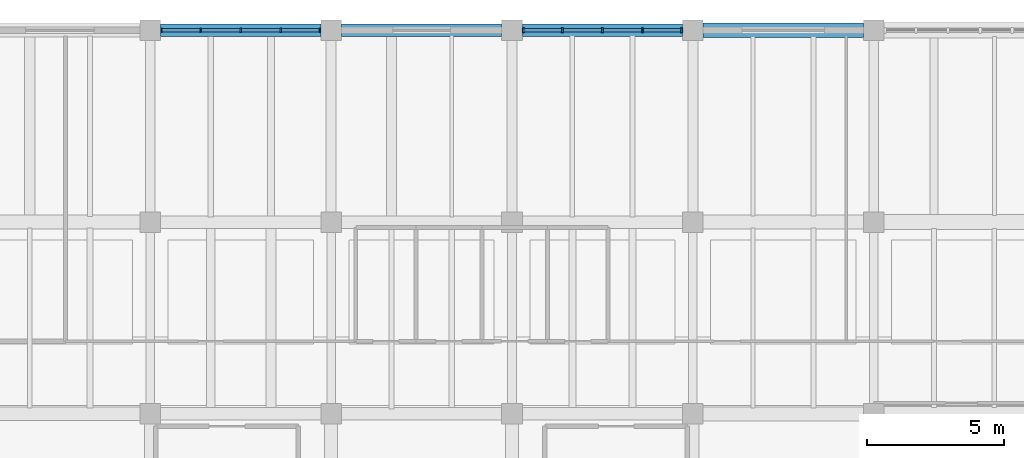
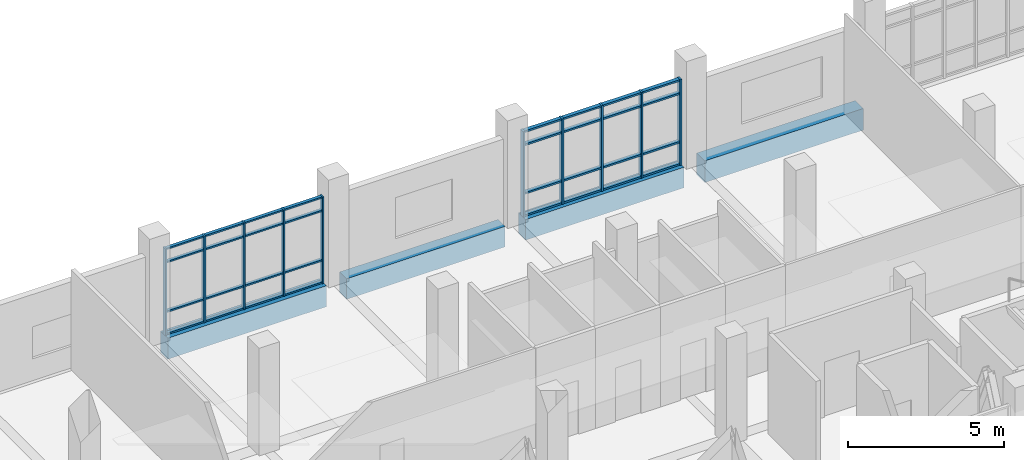
# One storey, part 60 of 92: 42 members, 4 beams, 2 elements without a shape of their own.
"""IFC4 building model written with IfcOpenShell, lengths in metres."""

from ifc_helpers import new_model, si_unit, direction, frame, origin, origin_2d, place, context, subcontext, project, spatial, rectangle, extrude, material, material_profile, profile_set, type_object, element, aggregate, save


model = new_model("IFC4")

# Units and contexts
model_context = context("Model", 3, precision=1e-05, world=origin(), true_north=direction((0.0, 1.0)))
body_context = subcontext(model_context, "Body", "Model", "MODEL_VIEW")
ifc_project = project(units=[si_unit("LENGTHUNIT", "METRE"), si_unit("AREAUNIT", "SQUARE_METRE"), si_unit("VOLUMEUNIT", "CUBIC_METRE"), si_unit("PLANEANGLEUNIT", "RADIAN"), si_unit("MASSUNIT", "GRAM", prefix="KILO")], contexts=[model_context])

# Site, building, storey
site_placement = place(None, origin())
site = spatial("IfcSite", under=ifc_project, at=site_placement, CompositionType="ELEMENT")
building_placement = place(site_placement, origin())
building = spatial("IfcBuilding", under=site, at=building_placement, Name="Ciguamira Faculty of Natural Sciences", CompositionType="ELEMENT")
storey_placement = place(building_placement, frame((0.0, 0.0, 16.800048828125)))
storey = spatial("IfcBuildingStorey", under=building, at=storey_placement, Name="L04", CompositionType="ELEMENT", Elevation=16.800048828125)

# Curtain wall, members
ifc_material_1 = material(Name="Anodized aluminium curtain wall", Category="aluminium")
curtain_wall_type_1 = type_object("IfcCurtainWallType", Name="CurtainWall_CW-07", PredefinedType="USERDEFINED", material=ifc_material_1)
curtain_wall_1_placement = place(storey_placement, origin())
curtain_wall_1 = element("IfcCurtainWall", 1, at=curtain_wall_1_placement, inside=storey, type_object=curtain_wall_type_1, Name="L04 unitised curtain wall 0127", ObjectType="UNITISED CURTAIN WALL", PredefinedType="USERDEFINED")
ifc_material_2 = material(Name="Anodized aluminium mullion", Category="aluminium")
ifc_material_profile_1 = material_profile(ifc_material_2, rectangle(XDim=0.06005859375, YDim=0.159912109375, at=origin_2d()), Name="ALU-MUL-60X160")
ifc_profile_set_1 = profile_set([ifc_material_profile_1], Name="Anodized aluminium mullion")
member_type_1 = type_object("IfcMemberType", Name="CWMullion_CWM-01", PredefinedType="MULLION", material=ifc_profile_set_1)
member_1_placement = place(storey_placement, frame((77.5048828125, 115.0, 0.0), z_axis=(0.0, 0.0, 1.0), x_axis=(1.0, 0.0, 0.0)))
member_1 = element("IfcMember", 2, at=member_1_placement, type_object=member_type_1, Name="CW-07 mullion 1", PredefinedType="MULLION", context=body_context, shape_type="SweptSolid", body=[
    extrude(rectangle(XDim=0.06005859375, YDim=0.159912109375, at=origin_2d()), origin(), (0.0, 0.0, 1.0), 3.385009765625),
])
member_2_placement = place(storey_placement, frame((78.9375, 115.0, 0.0), z_axis=(0.0, 0.0, 1.0), x_axis=(1.0, 0.0, 0.0)))
member_2 = element("IfcMember", 3, at=member_2_placement, type_object=member_type_1, Name="CW-07 mullion 2", PredefinedType="MULLION", context=body_context, shape_type="SweptSolid", body=[
    extrude(rectangle(XDim=0.06005859375, YDim=0.159912109375, at=origin_2d()), origin(), (0.0, 0.0, 1.0), 3.385009765625),
])
member_3_placement = place(storey_placement, frame((80.39990234375, 115.0, 0.0), z_axis=(0.0, 0.0, 1.0), x_axis=(1.0, 0.0, 0.0)))
member_3 = element("IfcMember", 4, at=member_3_placement, type_object=member_type_1, Name="CW-07 mullion 3", PredefinedType="MULLION", context=body_context, shape_type="SweptSolid", body=[
    extrude(rectangle(XDim=0.06005859375, YDim=0.159912109375, at=origin_2d()), origin(), (0.0, 0.0, 1.0), 3.385009765625),
])
member_4_placement = place(storey_placement, frame((81.862548828125, 115.0, 0.0), z_axis=(0.0, 0.0, 1.0), x_axis=(1.0, 0.0, 0.0)))
member_4 = element("IfcMember", 5, at=member_4_placement, type_object=member_type_1, Name="CW-07 mullion 4", PredefinedType="MULLION", context=body_context, shape_type="SweptSolid", body=[
    extrude(rectangle(XDim=0.06005859375, YDim=0.159912109375, at=origin_2d()), origin(), (0.0, 0.0, 1.0), 3.385009765625),
])
member_5_placement = place(storey_placement, frame((83.294921875, 115.0, 0.0), z_axis=(0.0, 0.0, 1.0), x_axis=(1.0, 0.0, 0.0)))
member_5 = element("IfcMember", 6, at=member_5_placement, type_object=member_type_1, Name="CW-07 mullion 5", PredefinedType="MULLION", context=body_context, shape_type="SweptSolid", body=[
    extrude(rectangle(XDim=0.06005859375, YDim=0.159912109375, at=origin_2d()), origin(), (0.0, 0.0, 1.0), 3.385009765625),
])

curtain_wall_type_2 = type_object("IfcCurtainWallType", Name="CurtainWall_CW-08", PredefinedType="USERDEFINED", material=ifc_material_1)
curtain_wall_2_placement = place(storey_placement, origin())
curtain_wall_2 = element("IfcCurtainWall", 7, at=curtain_wall_2_placement, inside=storey, type_object=curtain_wall_type_2, Name="L04 unitised curtain wall 0128", ObjectType="UNITISED CURTAIN WALL", PredefinedType="USERDEFINED")
ifc_material_profile_2 = material_profile(ifc_material_2, rectangle(XDim=0.070068359375, YDim=0.179931640625, at=origin_2d()), Name="ALU-MUL-70X180")
ifc_profile_set_2 = profile_set([ifc_material_profile_2], Name="Anodized aluminium mullion")
member_type_2 = type_object("IfcMemberType", Name="CWMullion_CWM-02", PredefinedType="MULLION", material=ifc_profile_set_2)
member_6_placement = place(storey_placement, frame((90.7099609375, 115.0, 0.0), z_axis=(0.0, 0.0, 1.0), x_axis=(1.0, 0.0, 0.0)))
member_6 = element("IfcMember", 8, at=member_6_placement, type_object=member_type_2, Name="CW-08 mullion 1", PredefinedType="MULLION", context=body_context, shape_type="SweptSolid", body=[
    extrude(rectangle(XDim=0.070068359375, YDim=0.179931640625, at=origin_2d()), origin(), (0.0, 0.0, 1.0), 3.344970703125),
])
member_7_placement = place(storey_placement, frame((92.137451171875, 115.0, 0.0), z_axis=(0.0, 0.0, 1.0), x_axis=(1.0, 0.0, 0.0)))
member_7 = element("IfcMember", 9, at=member_7_placement, type_object=member_type_2, Name="CW-08 mullion 2", PredefinedType="MULLION", context=body_context, shape_type="SweptSolid", body=[
    extrude(rectangle(XDim=0.070068359375, YDim=0.179931640625, at=origin_2d()), origin(), (0.0, 0.0, 1.0), 3.344970703125),
])
member_8_placement = place(storey_placement, frame((93.60009765625, 115.0, 0.0), z_axis=(0.0, 0.0, 1.0), x_axis=(1.0, 0.0, 0.0)))
member_8 = element("IfcMember", 10, at=member_8_placement, type_object=member_type_2, Name="CW-08 mullion 3", PredefinedType="MULLION", context=body_context, shape_type="SweptSolid", body=[
    extrude(rectangle(XDim=0.070068359375, YDim=0.179931640625, at=origin_2d()), origin(), (0.0, 0.0, 1.0), 3.344970703125),
])
member_9_placement = place(storey_placement, frame((95.0625, 115.0, 0.0), z_axis=(0.0, 0.0, 1.0), x_axis=(1.0, 0.0, 0.0)))
member_9 = element("IfcMember", 11, at=member_9_placement, type_object=member_type_2, Name="CW-08 mullion 4", PredefinedType="MULLION", context=body_context, shape_type="SweptSolid", body=[
    extrude(rectangle(XDim=0.070068359375, YDim=0.179931640625, at=origin_2d()), origin(), (0.0, 0.0, 1.0), 3.344970703125),
])
member_10_placement = place(storey_placement, frame((96.489990234375, 115.0, 0.0), z_axis=(0.0, 0.0, 1.0), x_axis=(1.0, 0.0, 0.0)))
member_10 = element("IfcMember", 12, at=member_10_placement, type_object=member_type_2, Name="CW-08 mullion 5", PredefinedType="MULLION", context=body_context, shape_type="SweptSolid", body=[
    extrude(rectangle(XDim=0.070068359375, YDim=0.179931640625, at=origin_2d()), origin(), (0.0, 0.0, 1.0), 3.344970703125),
])

# Member
ifc_material_3 = material(Name="Anodized aluminium transom", Category="aluminium")
ifc_material_profile_3 = material_profile(ifc_material_3, rectangle(XDim=0.06005859375, YDim=0.1201171875, at=origin_2d()), Name="ALU-TRN-60X120")
ifc_profile_set_3 = profile_set([ifc_material_profile_3], Name="Anodized aluminium transom")
member_type_3 = type_object("IfcMemberType", Name="CWTransom_CWT-01", PredefinedType="USERDEFINED", material=ifc_profile_set_3)
member_11_placement = place(storey_placement, frame((77.534912109375, 115.0, 0.030029296875), z_axis=(1.0, 0.0, 0.0), x_axis=(0.0, 0.0, 1.0)))
member_11 = element("IfcMember", 13, at=member_11_placement, type_object=member_type_3, Name="CW-07 transom 1.1", ObjectType="TRANSOM", PredefinedType="USERDEFINED", context=body_context, shape_type="SweptSolid", body=[
    extrude(rectangle(XDim=0.06005859375, YDim=0.1201171875, at=origin_2d()), origin(), (0.0, 0.0, 1.0), 1.37255859375),
])

member_12_placement = place(storey_placement, frame((77.534912109375, 115.0, 0.89990234375), z_axis=(1.0, 0.0, 0.0), x_axis=(0.0, 0.0, 1.0)))
member_12 = element("IfcMember", 14, at=member_12_placement, type_object=member_type_3, Name="CW-07 transom 1.2", ObjectType="TRANSOM", PredefinedType="USERDEFINED", context=body_context, shape_type="SweptSolid", body=[
    extrude(rectangle(XDim=0.06005859375, YDim=0.1201171875, at=origin_2d()), origin(), (0.0, 0.0, 1.0), 1.37255859375),
])

member_13_placement = place(storey_placement, frame((77.534912109375, 115.0, 2.8349609375), z_axis=(1.0, 0.0, 0.0), x_axis=(0.0, 0.0, 1.0)))
member_13 = element("IfcMember", 15, at=member_13_placement, type_object=member_type_3, Name="CW-07 transom 1.3", ObjectType="TRANSOM", PredefinedType="USERDEFINED", context=body_context, shape_type="SweptSolid", body=[
    extrude(rectangle(XDim=0.06005859375, YDim=0.1201171875, at=origin_2d()), origin(), (0.0, 0.0, 1.0), 1.37255859375),
])

member_14_placement = place(storey_placement, frame((77.534912109375, 115.0, 3.35498046875), z_axis=(1.0, 0.0, 0.0), x_axis=(0.0, 0.0, 1.0)))
member_14 = element("IfcMember", 16, at=member_14_placement, type_object=member_type_3, Name="CW-07 transom 1.4", ObjectType="TRANSOM", PredefinedType="USERDEFINED", context=body_context, shape_type="SweptSolid", body=[
    extrude(rectangle(XDim=0.06005859375, YDim=0.1201171875, at=origin_2d()), origin(), (0.0, 0.0, 1.0), 1.37255859375),
])

member_15_placement = place(storey_placement, frame((78.967529296875, 115.0, 0.030029296875), z_axis=(1.0, 0.0, 0.0), x_axis=(0.0, 0.0, 1.0)))
member_15 = element("IfcMember", 17, at=member_15_placement, type_object=member_type_3, Name="CW-07 transom 2.1", ObjectType="TRANSOM", PredefinedType="USERDEFINED", context=body_context, shape_type="SweptSolid", body=[
    extrude(rectangle(XDim=0.06005859375, YDim=0.1201171875, at=origin_2d()), origin(), (0.0, 0.0, 1.0), 1.402587890625),
])

member_16_placement = place(storey_placement, frame((78.967529296875, 115.0, 0.89990234375), z_axis=(1.0, 0.0, 0.0), x_axis=(0.0, 0.0, 1.0)))
member_16 = element("IfcMember", 18, at=member_16_placement, type_object=member_type_3, Name="CW-07 transom 2.2", ObjectType="TRANSOM", PredefinedType="USERDEFINED", context=body_context, shape_type="SweptSolid", body=[
    extrude(rectangle(XDim=0.06005859375, YDim=0.1201171875, at=origin_2d()), origin(), (0.0, 0.0, 1.0), 1.402587890625),
])

member_17_placement = place(storey_placement, frame((78.967529296875, 115.0, 2.8349609375), z_axis=(1.0, 0.0, 0.0), x_axis=(0.0, 0.0, 1.0)))
member_17 = element("IfcMember", 19, at=member_17_placement, type_object=member_type_3, Name="CW-07 transom 2.3", ObjectType="TRANSOM", PredefinedType="USERDEFINED", context=body_context, shape_type="SweptSolid", body=[
    extrude(rectangle(XDim=0.06005859375, YDim=0.1201171875, at=origin_2d()), origin(), (0.0, 0.0, 1.0), 1.402587890625),
])

member_18_placement = place(storey_placement, frame((78.967529296875, 115.0, 3.35498046875), z_axis=(1.0, 0.0, 0.0), x_axis=(0.0, 0.0, 1.0)))
member_18 = element("IfcMember", 20, at=member_18_placement, type_object=member_type_3, Name="CW-07 transom 2.4", ObjectType="TRANSOM", PredefinedType="USERDEFINED", context=body_context, shape_type="SweptSolid", body=[
    extrude(rectangle(XDim=0.06005859375, YDim=0.1201171875, at=origin_2d()), origin(), (0.0, 0.0, 1.0), 1.402587890625),
])

member_19_placement = place(storey_placement, frame((80.429931640625, 115.0, 0.030029296875), z_axis=(1.0, 0.0, 0.0), x_axis=(0.0, 0.0, 1.0)))
member_19 = element("IfcMember", 21, at=member_19_placement, type_object=member_type_3, Name="CW-07 transom 3.1", ObjectType="TRANSOM", PredefinedType="USERDEFINED", context=body_context, shape_type="SweptSolid", body=[
    extrude(rectangle(XDim=0.06005859375, YDim=0.1201171875, at=origin_2d()), origin(), (0.0, 0.0, 1.0), 1.402587890625),
])

member_20_placement = place(storey_placement, frame((80.429931640625, 115.0, 0.89990234375), z_axis=(1.0, 0.0, 0.0), x_axis=(0.0, 0.0, 1.0)))
member_20 = element("IfcMember", 22, at=member_20_placement, type_object=member_type_3, Name="CW-07 transom 3.2", ObjectType="TRANSOM", PredefinedType="USERDEFINED", context=body_context, shape_type="SweptSolid", body=[
    extrude(rectangle(XDim=0.06005859375, YDim=0.1201171875, at=origin_2d()), origin(), (0.0, 0.0, 1.0), 1.402587890625),
])

member_21_placement = place(storey_placement, frame((80.429931640625, 115.0, 2.8349609375), z_axis=(1.0, 0.0, 0.0), x_axis=(0.0, 0.0, 1.0)))
member_21 = element("IfcMember", 23, at=member_21_placement, type_object=member_type_3, Name="CW-07 transom 3.3", ObjectType="TRANSOM", PredefinedType="USERDEFINED", context=body_context, shape_type="SweptSolid", body=[
    extrude(rectangle(XDim=0.06005859375, YDim=0.1201171875, at=origin_2d()), origin(), (0.0, 0.0, 1.0), 1.402587890625),
])

member_22_placement = place(storey_placement, frame((80.429931640625, 115.0, 3.35498046875), z_axis=(1.0, 0.0, 0.0), x_axis=(0.0, 0.0, 1.0)))
member_22 = element("IfcMember", 24, at=member_22_placement, type_object=member_type_3, Name="CW-07 transom 3.4", ObjectType="TRANSOM", PredefinedType="USERDEFINED", context=body_context, shape_type="SweptSolid", body=[
    extrude(rectangle(XDim=0.06005859375, YDim=0.1201171875, at=origin_2d()), origin(), (0.0, 0.0, 1.0), 1.402587890625),
])

member_23_placement = place(storey_placement, frame((81.892578125, 115.0, 0.030029296875), z_axis=(1.0, 0.0, 0.0), x_axis=(0.0, 0.0, 1.0)))
member_23 = element("IfcMember", 25, at=member_23_placement, type_object=member_type_3, Name="CW-07 transom 4.1", ObjectType="TRANSOM", PredefinedType="USERDEFINED", context=body_context, shape_type="SweptSolid", body=[
    extrude(rectangle(XDim=0.06005859375, YDim=0.1201171875, at=origin_2d()), origin(), (0.0, 0.0, 1.0), 1.372314453125),
])

member_24_placement = place(storey_placement, frame((81.892578125, 115.0, 0.89990234375), z_axis=(1.0, 0.0, 0.0), x_axis=(0.0, 0.0, 1.0)))
member_24 = element("IfcMember", 26, at=member_24_placement, type_object=member_type_3, Name="CW-07 transom 4.2", ObjectType="TRANSOM", PredefinedType="USERDEFINED", context=body_context, shape_type="SweptSolid", body=[
    extrude(rectangle(XDim=0.06005859375, YDim=0.1201171875, at=origin_2d()), origin(), (0.0, 0.0, 1.0), 1.372314453125),
])

member_25_placement = place(storey_placement, frame((81.892578125, 115.0, 2.8349609375), z_axis=(1.0, 0.0, 0.0), x_axis=(0.0, 0.0, 1.0)))
member_25 = element("IfcMember", 27, at=member_25_placement, type_object=member_type_3, Name="CW-07 transom 4.3", ObjectType="TRANSOM", PredefinedType="USERDEFINED", context=body_context, shape_type="SweptSolid", body=[
    extrude(rectangle(XDim=0.06005859375, YDim=0.1201171875, at=origin_2d()), origin(), (0.0, 0.0, 1.0), 1.372314453125),
])

member_26_placement = place(storey_placement, frame((81.892578125, 115.0, 3.35498046875), z_axis=(1.0, 0.0, 0.0), x_axis=(0.0, 0.0, 1.0)))
member_26 = element("IfcMember", 28, at=member_26_placement, type_object=member_type_3, Name="CW-07 transom 4.4", ObjectType="TRANSOM", PredefinedType="USERDEFINED", context=body_context, shape_type="SweptSolid", body=[
    extrude(rectangle(XDim=0.06005859375, YDim=0.1201171875, at=origin_2d()), origin(), (0.0, 0.0, 1.0), 1.372314453125),
])

aggregate(curtain_wall_1, [member_1, member_2, member_3, member_4, member_5, member_11, member_12, member_13, member_14, member_15, member_16, member_17, member_18, member_19, member_20, member_21, member_22, member_23, member_24, member_25, member_26])

ifc_material_profile_4 = material_profile(ifc_material_3, rectangle(XDim=0.070068359375, YDim=0.139892578125, at=origin_2d()), Name="ALU-TRN-70X140")
ifc_profile_set_4 = profile_set([ifc_material_profile_4], Name="Anodized aluminium transom")
member_type_4 = type_object("IfcMemberType", Name="CWTransom_CWT-02", PredefinedType="USERDEFINED", material=ifc_profile_set_4)
member_27_placement = place(storey_placement, frame((90.7451171875, 115.0, 0.034912109375), z_axis=(1.0, 0.0, 0.0), x_axis=(0.0, 0.0, 1.0)))
member_27 = element("IfcMember", 29, at=member_27_placement, type_object=member_type_4, Name="CW-08 transom 1.1", ObjectType="TRANSOM", PredefinedType="USERDEFINED", context=body_context, shape_type="SweptSolid", body=[
    extrude(rectangle(XDim=0.070068359375, YDim=0.139892578125, at=origin_2d()), origin(), (0.0, 0.0, 1.0), 1.357421875),
])

member_28_placement = place(storey_placement, frame((90.7451171875, 115.0, 0.89990234375), z_axis=(1.0, 0.0, 0.0), x_axis=(0.0, 0.0, 1.0)))
member_28 = element("IfcMember", 30, at=member_28_placement, type_object=member_type_4, Name="CW-08 transom 1.2", ObjectType="TRANSOM", PredefinedType="USERDEFINED", context=body_context, shape_type="SweptSolid", body=[
    extrude(rectangle(XDim=0.070068359375, YDim=0.139892578125, at=origin_2d()), origin(), (0.0, 0.0, 1.0), 1.357421875),
])

member_29_placement = place(storey_placement, frame((90.7451171875, 115.0, 2.794921875), z_axis=(1.0, 0.0, 0.0), x_axis=(0.0, 0.0, 1.0)))
member_29 = element("IfcMember", 31, at=member_29_placement, type_object=member_type_4, Name="CW-08 transom 1.3", ObjectType="TRANSOM", PredefinedType="USERDEFINED", context=body_context, shape_type="SweptSolid", body=[
    extrude(rectangle(XDim=0.070068359375, YDim=0.139892578125, at=origin_2d()), origin(), (0.0, 0.0, 1.0), 1.357421875),
])

member_30_placement = place(storey_placement, frame((90.7451171875, 115.0, 3.31005859375), z_axis=(1.0, 0.0, 0.0), x_axis=(0.0, 0.0, 1.0)))
member_30 = element("IfcMember", 32, at=member_30_placement, type_object=member_type_4, Name="CW-08 transom 1.4", ObjectType="TRANSOM", PredefinedType="USERDEFINED", context=body_context, shape_type="SweptSolid", body=[
    extrude(rectangle(XDim=0.070068359375, YDim=0.139892578125, at=origin_2d()), origin(), (0.0, 0.0, 1.0), 1.357421875),
])

member_31_placement = place(storey_placement, frame((92.172607421875, 115.0, 0.034912109375), z_axis=(1.0, 0.0, 0.0), x_axis=(0.0, 0.0, 1.0)))
member_31 = element("IfcMember", 33, at=member_31_placement, type_object=member_type_4, Name="CW-08 transom 2.1", ObjectType="TRANSOM", PredefinedType="USERDEFINED", context=body_context, shape_type="SweptSolid", body=[
    extrude(rectangle(XDim=0.070068359375, YDim=0.139892578125, at=origin_2d()), origin(), (0.0, 0.0, 1.0), 1.392333984375),
])

member_32_placement = place(storey_placement, frame((92.172607421875, 115.0, 0.89990234375), z_axis=(1.0, 0.0, 0.0), x_axis=(0.0, 0.0, 1.0)))
member_32 = element("IfcMember", 34, at=member_32_placement, type_object=member_type_4, Name="CW-08 transom 2.2", ObjectType="TRANSOM", PredefinedType="USERDEFINED", context=body_context, shape_type="SweptSolid", body=[
    extrude(rectangle(XDim=0.070068359375, YDim=0.139892578125, at=origin_2d()), origin(), (0.0, 0.0, 1.0), 1.392333984375),
])

member_33_placement = place(storey_placement, frame((92.172607421875, 115.0, 2.794921875), z_axis=(1.0, 0.0, 0.0), x_axis=(0.0, 0.0, 1.0)))
member_33 = element("IfcMember", 35, at=member_33_placement, type_object=member_type_4, Name="CW-08 transom 2.3", ObjectType="TRANSOM", PredefinedType="USERDEFINED", context=body_context, shape_type="SweptSolid", body=[
    extrude(rectangle(XDim=0.070068359375, YDim=0.139892578125, at=origin_2d()), origin(), (0.0, 0.0, 1.0), 1.392333984375),
])

member_34_placement = place(storey_placement, frame((92.172607421875, 115.0, 3.31005859375), z_axis=(1.0, 0.0, 0.0), x_axis=(0.0, 0.0, 1.0)))
member_34 = element("IfcMember", 36, at=member_34_placement, type_object=member_type_4, Name="CW-08 transom 2.4", ObjectType="TRANSOM", PredefinedType="USERDEFINED", context=body_context, shape_type="SweptSolid", body=[
    extrude(rectangle(XDim=0.070068359375, YDim=0.139892578125, at=origin_2d()), origin(), (0.0, 0.0, 1.0), 1.392333984375),
])

member_35_placement = place(storey_placement, frame((93.635009765625, 115.0, 0.034912109375), z_axis=(1.0, 0.0, 0.0), x_axis=(0.0, 0.0, 1.0)))
member_35 = element("IfcMember", 37, at=member_35_placement, type_object=member_type_4, Name="CW-08 transom 3.1", ObjectType="TRANSOM", PredefinedType="USERDEFINED", context=body_context, shape_type="SweptSolid", body=[
    extrude(rectangle(XDim=0.070068359375, YDim=0.139892578125, at=origin_2d()), origin(), (0.0, 0.0, 1.0), 1.392578125),
])

member_36_placement = place(storey_placement, frame((93.635009765625, 115.0, 0.89990234375), z_axis=(1.0, 0.0, 0.0), x_axis=(0.0, 0.0, 1.0)))
member_36 = element("IfcMember", 38, at=member_36_placement, type_object=member_type_4, Name="CW-08 transom 3.2", ObjectType="TRANSOM", PredefinedType="USERDEFINED", context=body_context, shape_type="SweptSolid", body=[
    extrude(rectangle(XDim=0.070068359375, YDim=0.139892578125, at=origin_2d()), origin(), (0.0, 0.0, 1.0), 1.392578125),
])

member_37_placement = place(storey_placement, frame((93.635009765625, 115.0, 2.794921875), z_axis=(1.0, 0.0, 0.0), x_axis=(0.0, 0.0, 1.0)))
member_37 = element("IfcMember", 39, at=member_37_placement, type_object=member_type_4, Name="CW-08 transom 3.3", ObjectType="TRANSOM", PredefinedType="USERDEFINED", context=body_context, shape_type="SweptSolid", body=[
    extrude(rectangle(XDim=0.070068359375, YDim=0.139892578125, at=origin_2d()), origin(), (0.0, 0.0, 1.0), 1.392578125),
])

member_38_placement = place(storey_placement, frame((93.635009765625, 115.0, 3.31005859375), z_axis=(1.0, 0.0, 0.0), x_axis=(0.0, 0.0, 1.0)))
member_38 = element("IfcMember", 40, at=member_38_placement, type_object=member_type_4, Name="CW-08 transom 3.4", ObjectType="TRANSOM", PredefinedType="USERDEFINED", context=body_context, shape_type="SweptSolid", body=[
    extrude(rectangle(XDim=0.070068359375, YDim=0.139892578125, at=origin_2d()), origin(), (0.0, 0.0, 1.0), 1.392578125),
])

member_39_placement = place(storey_placement, frame((95.097412109375, 115.0, 0.034912109375), z_axis=(1.0, 0.0, 0.0), x_axis=(0.0, 0.0, 1.0)))
member_39 = element("IfcMember", 41, at=member_39_placement, type_object=member_type_4, Name="CW-08 transom 4.1", ObjectType="TRANSOM", PredefinedType="USERDEFINED", context=body_context, shape_type="SweptSolid", body=[
    extrude(rectangle(XDim=0.070068359375, YDim=0.139892578125, at=origin_2d()), origin(), (0.0, 0.0, 1.0), 1.357666015625),
])

member_40_placement = place(storey_placement, frame((95.097412109375, 115.0, 0.89990234375), z_axis=(1.0, 0.0, 0.0), x_axis=(0.0, 0.0, 1.0)))
member_40 = element("IfcMember", 42, at=member_40_placement, type_object=member_type_4, Name="CW-08 transom 4.2", ObjectType="TRANSOM", PredefinedType="USERDEFINED", context=body_context, shape_type="SweptSolid", body=[
    extrude(rectangle(XDim=0.070068359375, YDim=0.139892578125, at=origin_2d()), origin(), (0.0, 0.0, 1.0), 1.357666015625),
])

member_41_placement = place(storey_placement, frame((95.097412109375, 115.0, 2.794921875), z_axis=(1.0, 0.0, 0.0), x_axis=(0.0, 0.0, 1.0)))
member_41 = element("IfcMember", 43, at=member_41_placement, type_object=member_type_4, Name="CW-08 transom 4.3", ObjectType="TRANSOM", PredefinedType="USERDEFINED", context=body_context, shape_type="SweptSolid", body=[
    extrude(rectangle(XDim=0.070068359375, YDim=0.139892578125, at=origin_2d()), origin(), (0.0, 0.0, 1.0), 1.357666015625),
])

member_42_placement = place(storey_placement, frame((95.097412109375, 115.0, 3.31005859375), z_axis=(1.0, 0.0, 0.0), x_axis=(0.0, 0.0, 1.0)))
member_42 = element("IfcMember", 44, at=member_42_placement, type_object=member_type_4, Name="CW-08 transom 4.4", ObjectType="TRANSOM", PredefinedType="USERDEFINED", context=body_context, shape_type="SweptSolid", body=[
    extrude(rectangle(XDim=0.070068359375, YDim=0.139892578125, at=origin_2d()), origin(), (0.0, 0.0, 1.0), 1.357666015625),
])

aggregate(curtain_wall_2, [member_6, member_7, member_8, member_9, member_10, member_27, member_28, member_29, member_30, member_31, member_32, member_33, member_34, member_35, member_36, member_37, member_38, member_39, member_40, member_41, member_42])

# Beams
ifc_material_4 = material(Name="Concrete C40/50", Category="concrete")
ifc_material_profile_5 = material_profile(ifc_material_4, rectangle(XDim=0.4599609375, YDim=0.820068359375, at=origin_2d()), Name="RC-BM-460X820")
ifc_profile_set_5 = profile_set([ifc_material_profile_5], Name="Concrete C40/50")
beam_type_1 = type_object("IfcBeamType", Name="RCBeam_BG-04_RC-BM-460X820", PredefinedType="BEAM", material=ifc_profile_set_5)
beam_1_placement = place(storey_placement, frame((77.47509765625, 115.0, -0.41015625), z_axis=(1.0, 0.0, 0.0), x_axis=(0.0, 1.0, 0.0)))
element("IfcBeam", 45, at=beam_1_placement, inside=storey, type_object=beam_type_1, Name="L04 RC girder EW-1381", PredefinedType="BEAM", context=body_context, shape_type="SweptSolid", body=[
    extrude(rectangle(XDim=0.4599609375, YDim=0.820068359375, at=origin_2d()), origin(), (0.0, 0.0, 1.0), 5.849853515625),
])
ifc_material_profile_6 = material_profile(ifc_material_4, rectangle(XDim=0.449951171875, YDim=0.800048828125, at=origin_2d()), Name="RC-BM-450X800")
ifc_profile_set_6 = profile_set([ifc_material_profile_6], Name="Concrete C40/50")
beam_type_2 = type_object("IfcBeamType", Name="RCBeam_BG-05_RC-BM-450X800", PredefinedType="BEAM", material=ifc_profile_set_6)
beam_2_placement = place(storey_placement, frame((84.074951171875, 115.0, -0.400146484375), z_axis=(1.0, 0.0, 0.0), x_axis=(0.0, 1.0, 0.0)))
element("IfcBeam", 46, at=beam_2_placement, inside=storey, type_object=beam_type_2, Name="L04 RC girder EW-1382", PredefinedType="BEAM", context=body_context, shape_type="SweptSolid", body=[
    extrude(rectangle(XDim=0.449951171875, YDim=0.800048828125, at=origin_2d()), origin(), (0.0, 0.0, 1.0), 5.85009765625),
])
beam_3_placement = place(storey_placement, frame((90.675048828125, 115.0, -0.400146484375), z_axis=(1.0, 0.0, 0.0), x_axis=(0.0, 1.0, 0.0)))
element("IfcBeam", 47, at=beam_3_placement, inside=storey, type_object=beam_type_2, Name="L04 RC girder EW-1383", PredefinedType="BEAM", context=body_context, shape_type="SweptSolid", body=[
    extrude(rectangle(XDim=0.449951171875, YDim=0.800048828125, at=origin_2d()), origin(), (0.0, 0.0, 1.0), 5.849853515625),
])
ifc_material_profile_7 = material_profile(ifc_material_4, rectangle(XDim=0.52001953125, YDim=0.840087890625, at=origin_2d()), Name="RC-TB-520X840")
ifc_profile_set_7 = profile_set([ifc_material_profile_7], Name="Concrete C40/50")
beam_type_3 = type_object("IfcBeamType", Name="RCBeam_TB-02_RC-TB-520X840", PredefinedType="T_BEAM", material=ifc_profile_set_7)
beam_4_placement = place(storey_placement, frame((97.27490234375, 115.0, -0.420166015625), z_axis=(1.0, 0.0, 0.0), x_axis=(0.0, 1.0, 0.0)))
element("IfcBeam", 48, at=beam_4_placement, inside=storey, type_object=beam_type_3, Name="L04 RC girder EW-1384", PredefinedType="T_BEAM", context=body_context, shape_type="SweptSolid", body=[
    extrude(rectangle(XDim=0.52001953125, YDim=0.840087890625, at=origin_2d()), origin(), (0.0, 0.0, 1.0), 5.85009765625),
])

save(model, "model.ifc")
